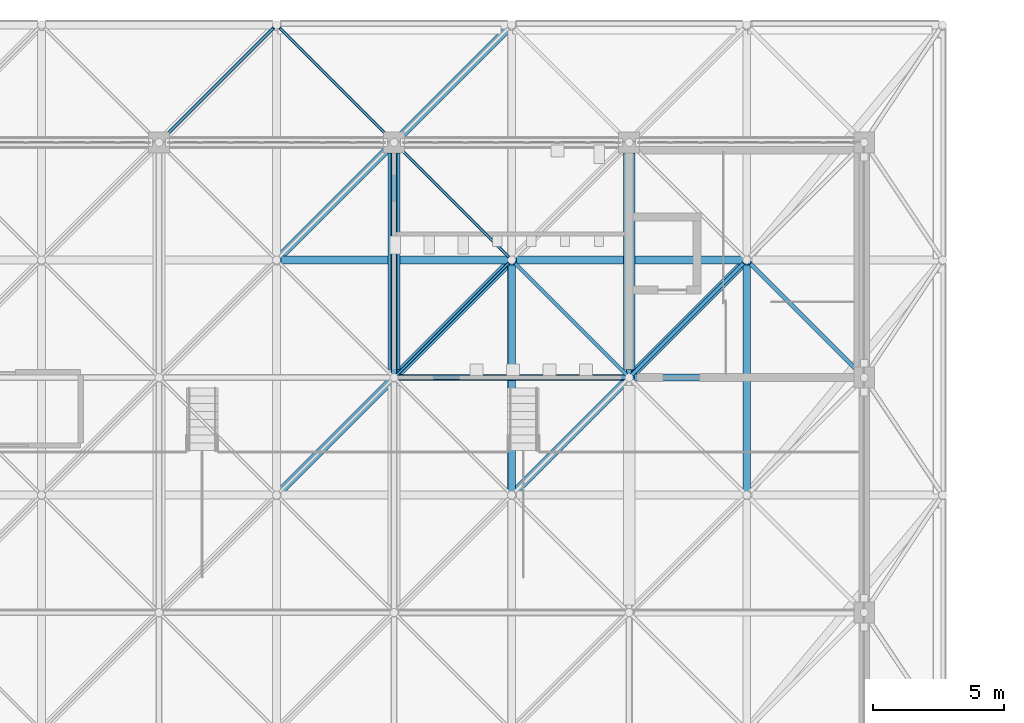
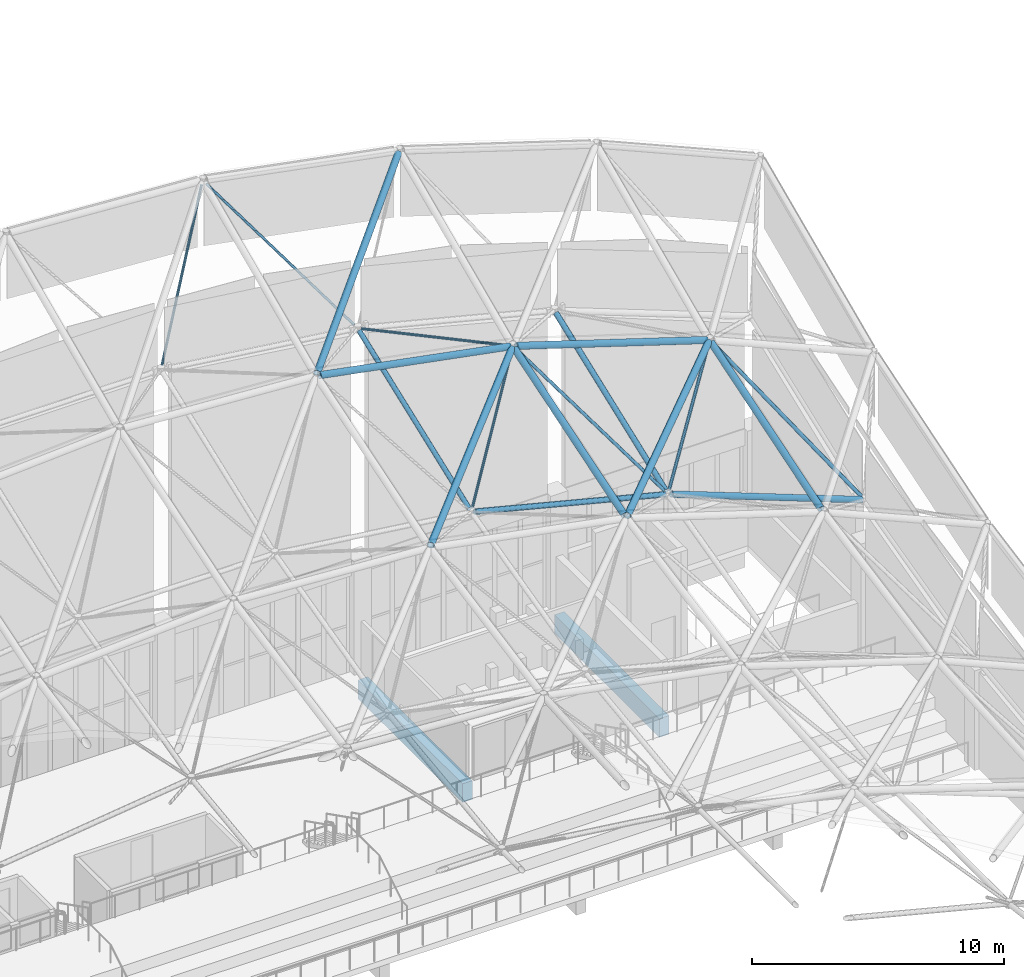
# One storey, part 134 of 437: 18 members, 2 beams.
"""IFC4 building model written with IfcOpenShell, lengths in metres."""

from ifc_helpers import new_model, si_unit, direction, frame, origin, origin_2d, place, context, subcontext, project, spatial, rectangle, hollow_circle, extrude, material, material_profile, profile_set, type_object, element, save


model = new_model("IFC4")

# Units and contexts
model_context = context("Model", 3, precision=1e-05, world=origin(), true_north=direction((0.0, 1.0)))
body_context = subcontext(model_context, "Body", "Model", "MODEL_VIEW")
ifc_project = project(units=[si_unit("LENGTHUNIT", "METRE"), si_unit("AREAUNIT", "SQUARE_METRE"), si_unit("VOLUMEUNIT", "CUBIC_METRE"), si_unit("PLANEANGLEUNIT", "RADIAN"), si_unit("MASSUNIT", "GRAM", prefix="KILO")], contexts=[model_context])

# Site, building, storey
site_placement = place(None, origin())
site = spatial("IfcSite", under=ifc_project, at=site_placement, CompositionType="ELEMENT")
building_placement = place(site_placement, origin())
building = spatial("IfcBuilding", under=site, at=building_placement, Name="Opaline Strait Convention Centre", CompositionType="ELEMENT")
storey_placement = place(building_placement, frame((0.0, 0.0, 11.5)))
storey = spatial("IfcBuildingStorey", under=building, at=storey_placement, Name="L02", CompositionType="ELEMENT", Elevation=11.5)

# Beams
ifc_material_1 = material(Name="Concrete C35", Category="concrete")
ifc_material_profile_1 = material_profile(ifc_material_1, rectangle(XDim=0.449951171875, YDim=0.89990234375, at=origin_2d()), Name="RC 450x900")
ifc_profile_set_1 = profile_set([ifc_material_profile_1], Name="Concrete C35")
beam_type = type_object("IfcBeamType", Name="RC floor beam 450x900 C35", PredefinedType="BEAM", material=ifc_profile_set_1)
for number, where, z_axis, x_axis, name in (
    (1, (54.0, 171.300048828125, -0.72998046875), (0.0, 1.0, 0.0), (-1.0, 0.0, 0.0), "PFB1 L02 beam 7/V-7/W"),
    (2, (63.0, 171.300048828125, -0.72998046875), (0.0, 1.0, 0.0), (-1.0, 0.0, 0.0), "PFB1 L02 beam 8/V-8/W"),
):
    element("IfcBeam", number, at=place(storey_placement, frame(where, z_axis=z_axis, x_axis=x_axis)), inside=storey, type_object=beam_type, Name=name, PredefinedType="BEAM", context=body_context, shape_type="SweptSolid", body=[
        extrude(rectangle(XDim=0.449951171875, YDim=0.89990234375, at=origin_2d()), origin(), (0.0, 0.0, 1.0), 8.300048828125),
    ])

# Members
ifc_material_2 = material(Name="Steel Q355B", Category="steel")
ifc_material_profile_2 = material_profile(ifc_material_2, hollow_circle(Radius=0.109619140625, WallThickness=0.008056640625, at=origin_2d()), Name="CHS 219x8")
ifc_profile_set_2 = profile_set([ifc_material_profile_2], Name="Steel Q355B")
member_type_1 = type_object("IfcMemberType", Name="Shell truss bottom chord CHS 219x8", PredefinedType="CHORD", material=ifc_profile_set_2)
member_1_placement = place(storey_placement, frame((54.0, 171.14990234375, 13.037841796875), z_axis=(0.0, 0.934493135261, 0.355981151397), x_axis=(-1.0, 0.0, 0.0)))
element("IfcMember", 3, at=member_1_placement, inside=storey, type_object=member_type_1, Name="PBC3 bottom chord Y6-7", PredefinedType="CHORD", context=body_context, shape_type="SweptSolid", body=[
    extrude(hollow_circle(Radius=0.109619140625, WallThickness=0.008056640625, at=origin_2d()), origin(), (0.0, 0.0, 1.0), 9.31005859375),
])
ifc_material_profile_3 = material_profile(ifc_material_2, hollow_circle(Radius=0.12255859375, WallThickness=0.011962890625, at=origin_2d()), Name="CHS 245x12")
ifc_profile_set_3 = profile_set([ifc_material_profile_3], Name="Steel Q355B")
member_type_2 = type_object("IfcMemberType", Name="Shell truss bottom chord CHS 245x12", PredefinedType="CHORD", material=ifc_profile_set_3)
member_2_placement = place(storey_placement, frame((54.14990234375, 171.0, 12.942626953125), z_axis=(0.969233447146, 0.0, -0.246143301624), x_axis=(0.0, 1.0, 0.0)))
element("IfcMember", 4, at=member_2_placement, inside=storey, type_object=member_type_2, Name="PBC2 bottom chord X6-7", PredefinedType="CHORD", context=body_context, shape_type="SweptSolid", body=[
    extrude(hollow_circle(Radius=0.12255859375, WallThickness=0.011962890625, at=origin_2d()), origin(), (0.0, 0.0, 1.0), 8.976318359375),
])
member_3_placement = place(storey_placement, frame((63.0, 171.14990234375, 10.752197265625), z_axis=(0.0, 0.934493135261, 0.355981151397), x_axis=(-1.0, 0.0, 0.0)))
element("IfcMember", 5, at=member_3_placement, inside=storey, type_object=member_type_2, Name="PBC2 bottom chord Y7-7", PredefinedType="CHORD", context=body_context, shape_type="SweptSolid", body=[
    extrude(hollow_circle(Radius=0.12255859375, WallThickness=0.011962890625, at=origin_2d()), origin(), (0.0, 0.0, 1.0), 9.31005859375),
])
ifc_material_profile_4 = material_profile(ifc_material_2, hollow_circle(Radius=0.136474609375, WallThickness=0.011962890625, at=origin_2d()), Name="CHS 273x12")
ifc_profile_set_4 = profile_set([ifc_material_profile_4], Name="Steel Q355B")
member_type_3 = type_object("IfcMemberType", Name="Shell truss bottom chord CHS 273x12", PredefinedType="CHORD", material=ifc_profile_set_4)
member_4_placement = place(storey_placement, frame((63.14990234375, 171.0, 10.637939453125), z_axis=(0.934484411572, 0.0, -0.356004051282), x_axis=(0.0, 1.0, 0.0)))
element("IfcMember", 6, at=member_4_placement, inside=storey, type_object=member_type_3, Name="PBC1 bottom chord X7-7", PredefinedType="CHORD", context=body_context, shape_type="SweptSolid", body=[
    extrude(hollow_circle(Radius=0.136474609375, WallThickness=0.011962890625, at=origin_2d()), origin(), (0.0, 0.0, 1.0), 9.31005859375),
])
ifc_material_profile_5 = material_profile(ifc_material_2, hollow_circle(Radius=0.1494140625, WallThickness=0.010009765625, at=origin_2d()), Name="CHS 299x10")
ifc_profile_set_5 = profile_set([ifc_material_profile_5], Name="Steel Q355B")
member_type_4 = type_object("IfcMemberType", Name="Shell truss top chord CHS 299x10", PredefinedType="CHORD", material=ifc_profile_set_5)
member_5_placement = place(storey_placement, frame((49.64990234375, 175.5, 18.387939453125), z_axis=(0.982337601302, 0.0, -0.187117174701), x_axis=(0.0, 1.0, 0.0)))
element("IfcMember", 7, at=member_5_placement, inside=storey, type_object=member_type_4, Name="PTC2 top chord X6-8", PredefinedType="CHORD", context=body_context, shape_type="SweptSolid", body=[
    extrude(hollow_circle(Radius=0.1494140625, WallThickness=0.010009765625, at=origin_2d()), origin(), (0.0, 0.0, 1.0), 8.856689453125),
])
member_6_placement = place(storey_placement, frame((49.606201171875, 166.606201171875, 15.57275390625), z_axis=(0.704272973434, 0.704272973434, 0.089438010823), x_axis=(-0.707106781187, 0.707106781187, 0.0)))
element("IfcMember", 8, at=member_6_placement, inside=storey, type_object=member_type_4, Name="PTC2 top chord D6-7", PredefinedType="CHORD", context=body_context, shape_type="SweptSolid", body=[
    extrude(hollow_circle(Radius=0.1494140625, WallThickness=0.010009765625, at=origin_2d()), origin(), (0.0, 0.0, 1.0), 12.4775390625),
])
member_7_placement = place(storey_placement, frame((49.606201171875, 175.606201171875, 18.443359375), z_axis=(0.695971699433, 0.695971699433, 0.176767607829), x_axis=(-0.707106781187, 0.707106781187, 0.0)))
element("IfcMember", 9, at=member_7_placement, inside=storey, type_object=member_type_4, Name="PTC2 top chord D6-8", PredefinedType="CHORD", context=body_context, shape_type="SweptSolid", body=[
    extrude(hollow_circle(Radius=0.1494140625, WallThickness=0.010009765625, at=origin_2d()), origin(), (0.0, 0.0, 1.0), 12.62646484375),
])
ifc_material_profile_6 = material_profile(ifc_material_2, hollow_circle(Radius=0.1494140625, WallThickness=0.01611328125, at=origin_2d()), Name="CHS 299x16")
ifc_profile_set_6 = profile_set([ifc_material_profile_6], Name="Steel Q355B")
member_type_5 = type_object("IfcMemberType", Name="Shell truss top chord CHS 299x16", PredefinedType="CHORD", material=ifc_profile_set_6)
for number, where, z_axis, x_axis, name in (
    (10, (58.64990234375, 175.5, 16.654541015625), (0.95312438958, 0.0, -0.302578746754), (0.0, 1.0, 0.0), "PTC1 top chord X7-8"),
    (11, (58.5, 166.64990234375, 13.892578125), (0.0, 0.95312438958, 0.302578746754), (-1.0, 0.0, 0.0), "PTC1 top chord Y7-7"),
    (12, (67.5, 166.64990234375, 11.035400390625), (0.0, 0.95312438958, 0.302578746754), (-1.0, 0.0, 0.0), "PTC1 top chord Y8-7"),
):
    element("IfcMember", number, at=place(storey_placement, frame(where, z_axis=z_axis, x_axis=x_axis)), inside=storey, type_object=member_type_5, Name=name, PredefinedType="CHORD", context=body_context, shape_type="SweptSolid", body=[
        extrude(hollow_circle(Radius=0.1494140625, WallThickness=0.01611328125, at=origin_2d()), origin(), (0.0, 0.0, 1.0), 9.128173828125),
    ])
member_8_placement = place(storey_placement, frame((58.606201171875, 166.606201171875, 13.844970703125), z_axis=(0.707106781187, 0.707106781187, 0.0), x_axis=(-0.707106781187, 0.707106781187, 0.0)))
element("IfcMember", 13, at=member_8_placement, inside=storey, type_object=member_type_5, Name="PTC1 top chord D7-7", PredefinedType="CHORD", context=body_context, shape_type="SweptSolid", body=[
    extrude(hollow_circle(Radius=0.1494140625, WallThickness=0.01611328125, at=origin_2d()), origin(), (0.0, 0.0, 1.0), 12.427490234375),
])
ifc_material_profile_7 = material_profile(ifc_material_2, hollow_circle(Radius=0.056884765625, WallThickness=0.006103515625, at=origin_2d()), Name="CHS 114x6")
ifc_profile_set_7 = profile_set([ifc_material_profile_7], Name="Steel Q355B")
member_type_6 = type_object("IfcMemberType", Name="Shell truss web CHS 114x6", PredefinedType="BRACE", material=ifc_profile_set_7)
member_9_placement = place(storey_placement, frame((45.106201171875, 180.106201171875, 17.666748046875), z_axis=(0.561778263095, 0.561778263095, 0.607297592806), x_axis=(-0.707106781187, 0.707106781187, 0.0)))
element("IfcMember", 14, at=member_9_placement, inside=storey, type_object=member_type_6, Name="PWB3 web 5-8bd", PredefinedType="BRACE", context=body_context, shape_type="SweptSolid", body=[
    extrude(hollow_circle(Radius=0.056884765625, WallThickness=0.006103515625, at=origin_2d()), origin(), (0.0, 0.0, 1.0), 7.632080078125),
])
member_10_placement = place(storey_placement, frame((54.106201171875, 171.106201171875, 13.068359375), z_axis=(0.610386818671, 0.610386818671, 0.504832510033), x_axis=(-0.707106781187, 0.707106781187, 0.0)))
element("IfcMember", 15, at=member_10_placement, inside=storey, type_object=member_type_6, Name="PWB3 web 6-7bd", PredefinedType="BRACE", context=body_context, shape_type="SweptSolid", body=[
    extrude(hollow_circle(Radius=0.056884765625, WallThickness=0.006103515625, at=origin_2d()), origin(), (0.0, 0.0, 1.0), 7.0244140625),
])
member_11_placement = place(storey_placement, frame((53.893798828125, 180.106201171875, 16.55078125), z_axis=(-0.514185644743, 0.514185644743, 0.686459208897), x_axis=(-0.707106781187, -0.707106781187, 0.0)))
element("IfcMember", 16, at=member_11_placement, inside=storey, type_object=member_type_6, Name="PWB3 web 6-8ad", PredefinedType="BRACE", context=body_context, shape_type="SweptSolid", body=[
    extrude(hollow_circle(Radius=0.056884765625, WallThickness=0.006103515625, at=origin_2d()), origin(), (0.0, 0.0, 1.0), 8.338623046875),
])
member_12_placement = place(storey_placement, frame((54.106201171875, 179.893798828125, 16.416259765625), z_axis=(0.706359162176, -0.706359162176, 0.045972470241), x_axis=(0.707106781187, 0.707106781187, 0.0)))
element("IfcMember", 17, at=member_12_placement, inside=storey, type_object=member_type_6, Name="PWB3 web 6-8bc", PredefinedType="BRACE", context=body_context, shape_type="SweptSolid", body=[
    extrude(hollow_circle(Radius=0.056884765625, WallThickness=0.006103515625, at=origin_2d()), origin(), (0.0, 0.0, 1.0), 6.070068359375),
])
ifc_material_profile_8 = material_profile(ifc_material_2, hollow_circle(Radius=0.070068359375, WallThickness=0.008056640625, at=origin_2d()), Name="CHS 140x8")
ifc_profile_set_8 = profile_set([ifc_material_profile_8], Name="Steel Q355B")
member_type_7 = type_object("IfcMemberType", Name="Shell truss web CHS 140x8", PredefinedType="BRACE", material=ifc_profile_set_8)
member_13_placement = place(storey_placement, frame((62.893798828125, 171.106201171875, 10.836669921875), z_axis=(-0.514195979125, 0.514195979125, 0.68644372683), x_axis=(-0.707106781187, -0.707106781187, 0.0)))
element("IfcMember", 18, at=member_13_placement, inside=storey, type_object=member_type_7, Name="PWB2 web 7-7ad", PredefinedType="BRACE", context=body_context, shape_type="SweptSolid", body=[
    extrude(hollow_circle(Radius=0.070068359375, WallThickness=0.008056640625, at=origin_2d()), origin(), (0.0, 0.0, 1.0), 8.33837890625),
])
member_14_placement = place(storey_placement, frame((63.106201171875, 171.106201171875, 10.769287109375), z_axis=(0.633718163842, 0.633718163842, 0.443624365464), x_axis=(-0.707106781187, 0.707106781187, 0.0)))
element("IfcMember", 19, at=member_14_placement, inside=storey, type_object=member_type_7, Name="PWB2 web 7-7bd", PredefinedType="BRACE", context=body_context, shape_type="SweptSolid", body=[
    extrude(hollow_circle(Radius=0.070068359375, WallThickness=0.008056640625, at=origin_2d()), origin(), (0.0, 0.0, 1.0), 6.765869140625),
])
ifc_material_profile_9 = material_profile(ifc_material_2, hollow_circle(Radius=0.083984375, WallThickness=0.010009765625, at=origin_2d()), Name="CHS 168x10")
ifc_profile_set_9 = profile_set([ifc_material_profile_9], Name="Steel Q355B")
member_type_8 = type_object("IfcMemberType", Name="Shell truss web CHS 168x10", PredefinedType="BRACE", material=ifc_profile_set_9)
member_15_placement = place(storey_placement, frame((71.8974609375, 171.1025390625, 7.41650390625), z_axis=(-0.491649700589, 0.491649700589, 0.718721882108), x_axis=(-0.707106781187, -0.707106781187, 0.0)))
element("IfcMember", 20, at=member_15_placement, inside=storey, type_object=member_type_8, Name="PWB1 web 8-7ad", PredefinedType="BRACE", context=body_context, shape_type="SweptSolid", body=[
    extrude(hollow_circle(Radius=0.083984375, WallThickness=0.010009765625, at=origin_2d()), origin(), (0.0, 0.0, 1.0), 8.73583984375),
])

save(model, "model.ifc")
